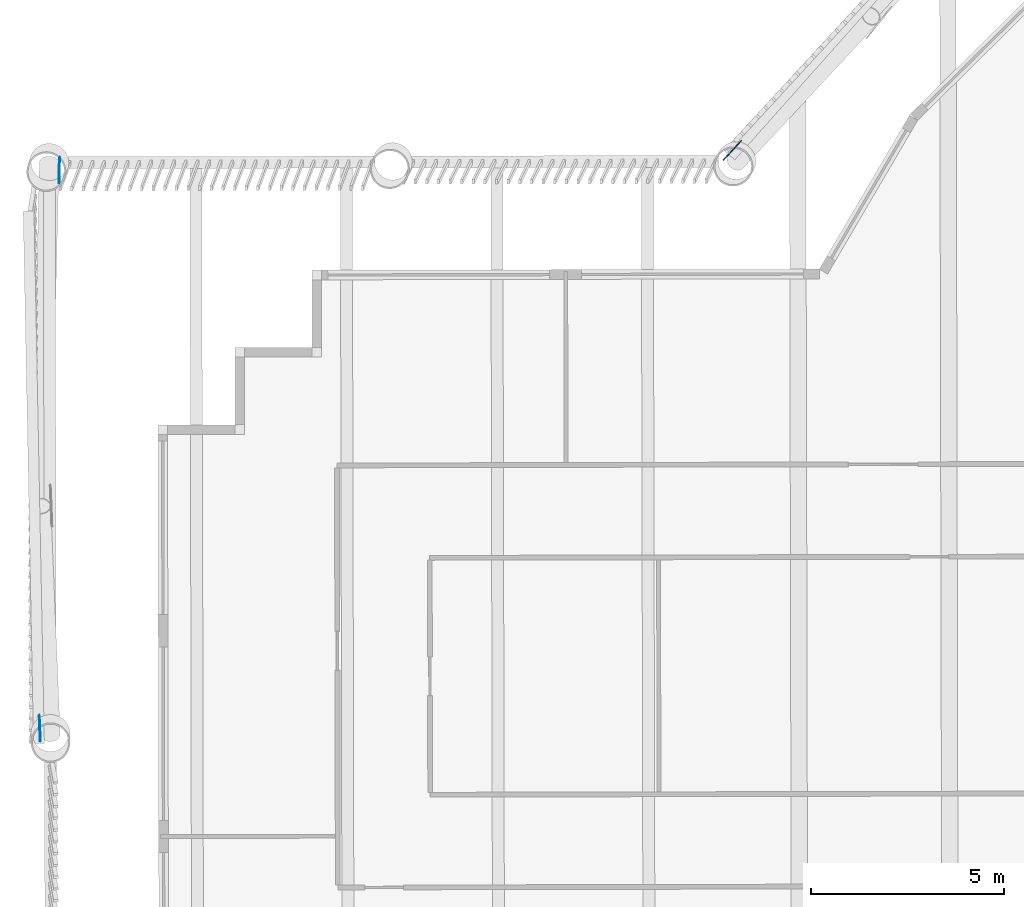
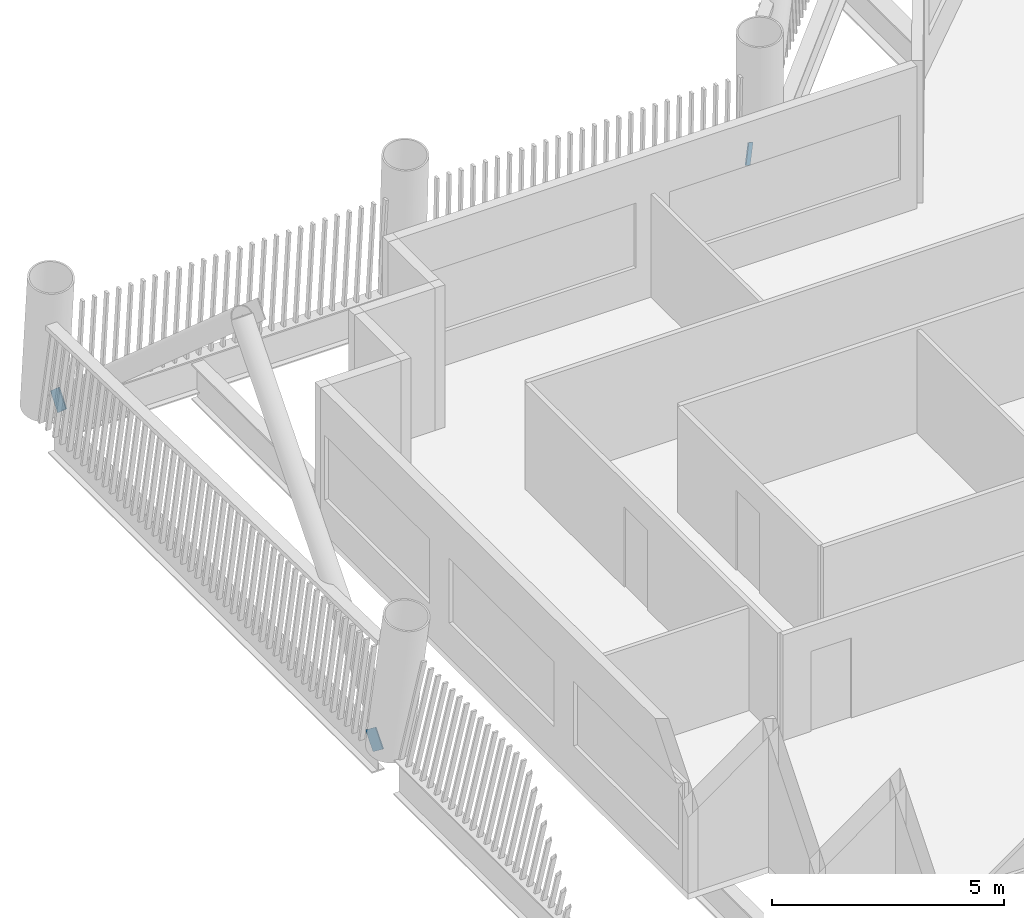
# One storey, part 12 of 22: 3 discrete accessories.
"""IFC4 building model written with IfcOpenShell, lengths in metres."""

from ifc_helpers import new_model, si_unit, direction, frame, origin, origin_2d, place, context, subcontext, project, spatial, rectangle, extrude, material, material_profile, profile_set, type_object, element, save


model = new_model("IFC4")

# Units and contexts
model_context = context("Model", 3, precision=1e-05, world=origin(), true_north=direction((0.0, 1.0)))
body_context = subcontext(model_context, "Body", "Model", "MODEL_VIEW")
ifc_project = project(units=[si_unit("LENGTHUNIT", "METRE"), si_unit("AREAUNIT", "SQUARE_METRE"), si_unit("VOLUMEUNIT", "CUBIC_METRE"), si_unit("PLANEANGLEUNIT", "RADIAN"), si_unit("MASSUNIT", "GRAM", prefix="KILO")], contexts=[model_context])

# Site, building, storey
site_placement = place(None, origin())
site = spatial("IfcSite", under=ifc_project, at=site_placement, CompositionType="ELEMENT")
building_placement = place(site_placement, origin())
building = spatial("IfcBuilding", under=site, at=building_placement, Name="Tarsis Ring Headquarters", CompositionType="ELEMENT")
storey_placement = place(building_placement, frame((0.0, 0.0, 286.39990234375)))
storey = spatial("IfcBuildingStorey", under=building, at=storey_placement, Name="L67", CompositionType="ELEMENT", Elevation=286.39990234375)

# Discrete accessories
ifc_material = material(Name="Structural steel S355", Category="steel")
ifc_material_profile = material_profile(ifc_material, rectangle(XDim=0.02490234375, YDim=0.5, at=origin_2d()), Name="PL 25x500")
ifc_profile_set = profile_set([ifc_material_profile], Name="Structural steel S355")
discrete_accessory_type = type_object("IfcDiscreteAccessoryType", Name="Gusset plate Exo brace 25", PredefinedType="BRACKET", material=ifc_profile_set)
for number, where, z_axis, x_axis, name in (
    (1, (-25.2216796875, 14.928955078125, 0.0), (0.373996777284, 0.402803317571, 0.83538966832), (-0.732825127951, 0.680417027891, 0.0), "Gusset plate GP5"),
    (2, (-42.564453125, 14.703857421875, 0.0), (-0.018063897731, -0.751848716385, 0.659088160468), (0.999711501181, -0.024019042561, 0.0), "Gusset plate GP5"),
    (3, (-43.066162109375, -0.1005859375, 0.0), (-0.024901717401, 0.603012176279, 0.7973432258), (-0.999148427916, -0.041260380424, 0.0), "Gusset plate GP5"),
):
    element("IfcDiscreteAccessory", number, at=place(storey_placement, frame(where, z_axis=z_axis, x_axis=x_axis)), inside=storey, type_object=discrete_accessory_type, Name=name, PredefinedType="BRACKET", context=body_context, shape_type="SweptSolid", body=[
        extrude(rectangle(XDim=0.02490234375, YDim=0.5, at=origin_2d()), origin(), (0.0, 0.0, 1.0), 0.5),
    ])

save(model, "model.ifc")
